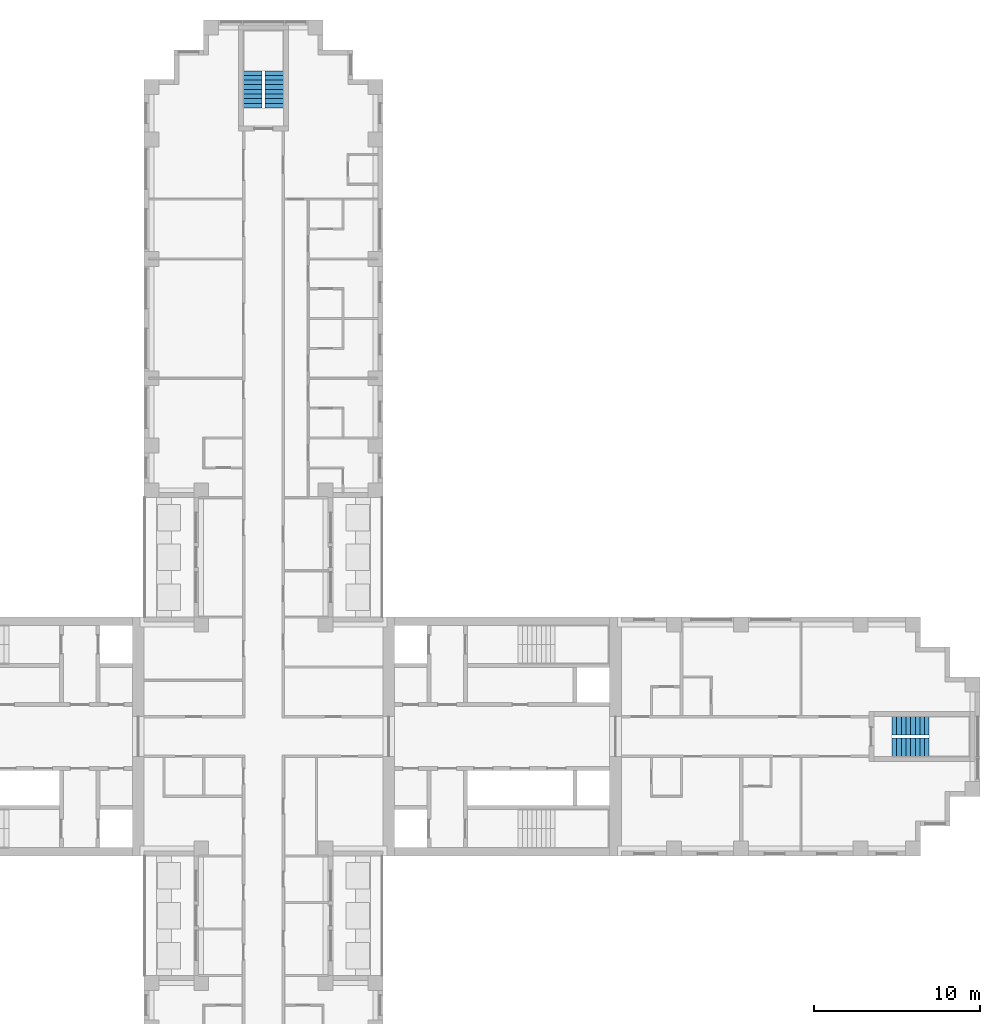
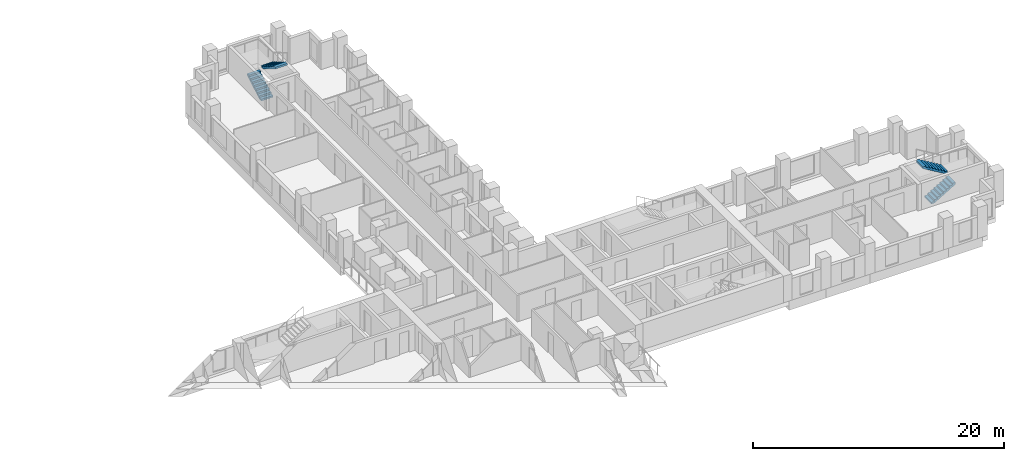
# One storey, part 13 of 15: 4 stair flights, 2 elements without a shape of their own.
"""IFC4 building model written with IfcOpenShell, lengths in metres."""

from ifc_helpers import new_model, si_unit, direction, frame, origin, place, context, subcontext, project, spatial, polyline, outline, extrude, material, type_object, element, aggregate, save


model = new_model("IFC4")

# Units and contexts
model_context = context("Model", 3, precision=1e-05, world=origin(), true_north=direction((0.0, 1.0)))
body_context = subcontext(model_context, "Body", "Model", "MODEL_VIEW")
ifc_project = project(units=[si_unit("LENGTHUNIT", "METRE"), si_unit("AREAUNIT", "SQUARE_METRE"), si_unit("VOLUMEUNIT", "CUBIC_METRE"), si_unit("PLANEANGLEUNIT", "RADIAN"), si_unit("MASSUNIT", "GRAM", prefix="KILO")], contexts=[model_context])

# Site, building, storey
site_placement = place(None, origin())
site = spatial("IfcSite", under=ifc_project, at=site_placement, CompositionType="ELEMENT")
building_placement = place(site_placement, origin())
building = spatial("IfcBuilding", under=site, at=building_placement, Name="Fustian Cross Tower", CompositionType="ELEMENT")
storey_placement = place(building_placement, frame((0.0, 0.0, 35.699951171875)))
storey = spatial("IfcBuildingStorey", under=building, at=storey_placement, Name="L10", CompositionType="ELEMENT", Elevation=35.699951171875)

# Stair, stair flights
ifc_material_1 = material(Name="Concrete C50/60", Category="concrete")
stair_type = type_object("IfcStairType", Name="STAIR 1100 HALF TURN", PredefinedType="HALF_TURN_STAIR", material=ifc_material_1)
stair_1_placement = place(storey_placement, origin())
stair_1 = element("IfcStair", 1, at=stair_1_placement, inside=storey, type_object=stair_type, Name="Stair ST5", PredefinedType="HALF_TURN_STAIR")
ifc_material_2 = material(Name="Concrete C50/60", Category="concrete")
stair_flight_type = type_object("IfcStairFlightType", Name="STAIR FLIGHT 1100", PredefinedType="STRAIGHT", material=ifc_material_2)
stair_flight_1_placement = place(storey_placement, frame((-0.64990234375, 37.89990234375, 0.0), z_axis=(0.0, 0.0, 1.0), x_axis=(0.0, 1.0, 0.0)))
stair_flight_1 = element("IfcStairFlight", 2, at=stair_flight_1_placement, type_object=stair_flight_type, Name="ST5 flight 1", NumberOfRisers=9, NumberOfTreads=8, PredefinedType="STRAIGHT", RiserHeight=0.166666667, TreadLength=0.28, context=body_context, shape_type="SweptSolid", body=[
    extrude(outline(polyline([(0.0, 0.0), (0.0, 0.166748046875), (0.280029296875, 0.166748046875), (0.280029296875, 0.333251953125), (0.56005859375, 0.333251953125), (0.56005859375, 0.5), (0.840087890625, 0.5), (0.840087890625, 0.666748046875), (1.1201171875, 0.666748046875), (1.1201171875, 0.833251953125), (1.39990234375, 0.833251953125), (1.39990234375, 1.0), (1.679931640625, 1.0), (1.679931640625, 1.166748046875), (1.9599609375, 1.166748046875), (1.9599609375, 1.333251953125), (2.239990234375, 1.333251953125), (2.239990234375, 1.5), (2.239990234375, 1.158935546875), (0.29296875, 0.0), (0.0, 0.0)])), frame((0.0, 0.550048828125, 0.0), z_axis=(0.0, -1.0, 0.0), x_axis=(1.0, 0.0, 0.0)), (0.0, 0.0, 1.0), 1.10009765625),
])
stair_flight_2_placement = place(storey_placement, frame((0.64990234375, 40.139892578125, 1.5), z_axis=(0.0, 0.0, 1.0), x_axis=(0.0, -1.0, 0.0)))
stair_flight_2 = element("IfcStairFlight", 3, at=stair_flight_2_placement, type_object=stair_flight_type, Name="ST5 flight 2", NumberOfRisers=9, NumberOfTreads=8, PredefinedType="STRAIGHT", RiserHeight=0.166666667, TreadLength=0.28, context=body_context, shape_type="SweptSolid", body=[
    extrude(outline(polyline([(0.0, 0.0), (0.0, 0.166748046875), (0.280029296875, 0.166748046875), (0.280029296875, 0.333251953125), (0.56005859375, 0.333251953125), (0.56005859375, 0.5), (0.840087890625, 0.5), (0.840087890625, 0.666748046875), (1.1201171875, 0.666748046875), (1.1201171875, 0.833251953125), (1.39990234375, 0.833251953125), (1.39990234375, 1.0), (1.679931640625, 1.0), (1.679931640625, 1.166748046875), (1.9599609375, 1.166748046875), (1.9599609375, 1.333251953125), (2.239990234375, 1.333251953125), (2.239990234375, 1.5), (2.239990234375, 1.158935546875), (0.29296875, 0.0), (0.0, 0.0)])), frame((0.0, 0.550048828125, 0.0), z_axis=(0.0, -1.0, 0.0), x_axis=(1.0, 0.0, 0.0)), (0.0, 0.0, 1.0), 1.10009765625),
])
aggregate(stair_1, [stair_flight_1, stair_flight_2])

stair_2_placement = place(storey_placement, origin())
stair_2 = element("IfcStair", 4, at=stair_2_placement, inside=storey, type_object=stair_type, Name="Stair ST8", PredefinedType="HALF_TURN_STAIR")
stair_flight_3_placement = place(storey_placement, frame((37.89990234375, -0.64990234375, 0.0), z_axis=(0.0, 0.0, 1.0), x_axis=(1.0, 0.0, 0.0)))
stair_flight_3 = element("IfcStairFlight", 5, at=stair_flight_3_placement, type_object=stair_flight_type, Name="ST8 flight 1", NumberOfRisers=9, NumberOfTreads=8, PredefinedType="STRAIGHT", RiserHeight=0.166666667, TreadLength=0.28, context=body_context, shape_type="SweptSolid", body=[
    extrude(outline(polyline([(0.0, 0.0), (0.0, 0.166748046875), (0.280029296875, 0.166748046875), (0.280029296875, 0.333251953125), (0.56005859375, 0.333251953125), (0.56005859375, 0.5), (0.840087890625, 0.5), (0.840087890625, 0.666748046875), (1.1201171875, 0.666748046875), (1.1201171875, 0.833251953125), (1.39990234375, 0.833251953125), (1.39990234375, 1.0), (1.679931640625, 1.0), (1.679931640625, 1.166748046875), (1.9599609375, 1.166748046875), (1.9599609375, 1.333251953125), (2.239990234375, 1.333251953125), (2.239990234375, 1.5), (2.239990234375, 1.158935546875), (0.29296875, 0.0), (0.0, 0.0)])), frame((0.0, 0.550048828125, 0.0), z_axis=(0.0, -1.0, 0.0), x_axis=(1.0, 0.0, 0.0)), (0.0, 0.0, 1.0), 1.10009765625),
])
stair_flight_4_placement = place(storey_placement, frame((40.139892578125, 0.64990234375, 1.5), z_axis=(0.0, 0.0, 1.0), x_axis=(-1.0, 0.0, 0.0)))
stair_flight_4 = element("IfcStairFlight", 6, at=stair_flight_4_placement, type_object=stair_flight_type, Name="ST8 flight 2", NumberOfRisers=9, NumberOfTreads=8, PredefinedType="STRAIGHT", RiserHeight=0.166666667, TreadLength=0.28, context=body_context, shape_type="SweptSolid", body=[
    extrude(outline(polyline([(0.0, 0.0), (0.0, 0.166748046875), (0.280029296875, 0.166748046875), (0.280029296875, 0.333251953125), (0.56005859375, 0.333251953125), (0.56005859375, 0.5), (0.840087890625, 0.5), (0.840087890625, 0.666748046875), (1.1201171875, 0.666748046875), (1.1201171875, 0.833251953125), (1.39990234375, 0.833251953125), (1.39990234375, 1.0), (1.679931640625, 1.0), (1.679931640625, 1.166748046875), (1.9599609375, 1.166748046875), (1.9599609375, 1.333251953125), (2.239990234375, 1.333251953125), (2.239990234375, 1.5), (2.239990234375, 1.158935546875), (0.29296875, 0.0), (0.0, 0.0)])), frame((0.0, 0.550048828125, 0.0), z_axis=(0.0, -1.0, 0.0), x_axis=(1.0, 0.0, 0.0)), (0.0, 0.0, 1.0), 1.10009765625),
])
aggregate(stair_2, [stair_flight_3, stair_flight_4])

save(model, "model.ifc")
